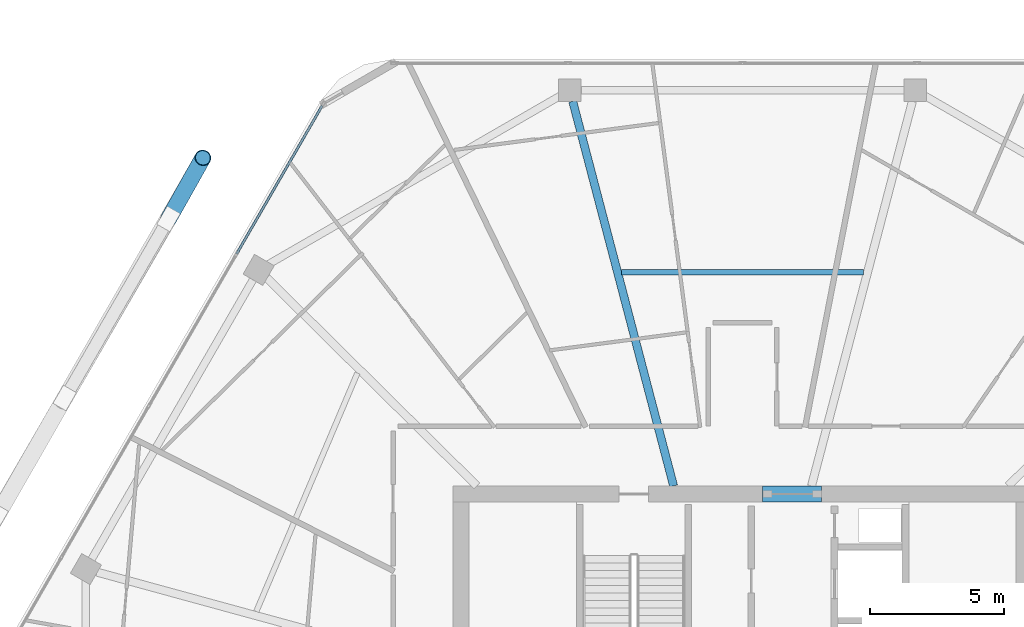
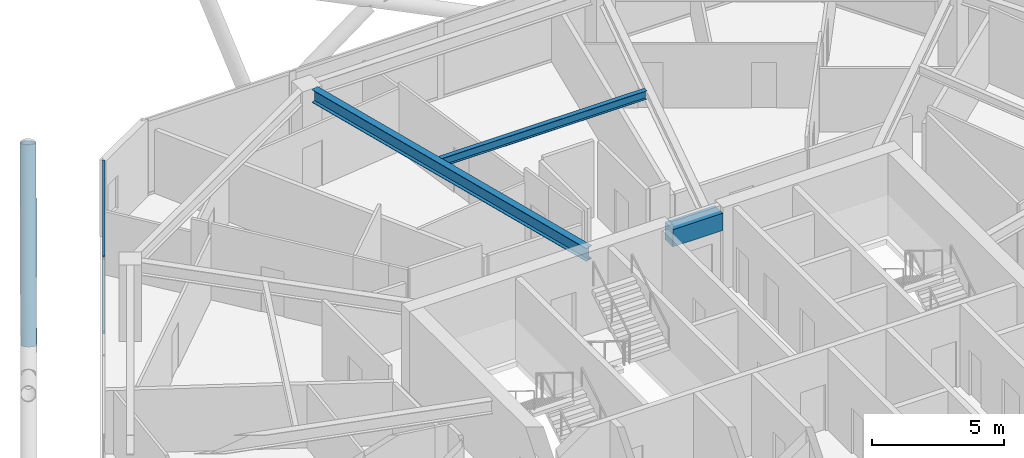
# One storey, part 14 of 28: 3 beams, 3 members, 1 element without a shape of its own.
"""IFC4 building model written with IfcOpenShell, lengths in metres."""

from ifc_helpers import new_model, si_unit, direction, frame, origin, origin_2d, place, context, subcontext, project, spatial, rectangle, hollow_rectangle, hollow_circle, i_section, extrude, material, material_profile, profile_set, type_object, element, aggregate, save


model = new_model("IFC4")

# Units and contexts
model_context = context("Model", 3, precision=1e-05, world=origin(), true_north=direction((0.0, 1.0)))
body_context = subcontext(model_context, "Body", "Model", "MODEL_VIEW")
ifc_project = project(units=[si_unit("LENGTHUNIT", "METRE"), si_unit("AREAUNIT", "SQUARE_METRE"), si_unit("VOLUMEUNIT", "CUBIC_METRE"), si_unit("PLANEANGLEUNIT", "RADIAN"), si_unit("MASSUNIT", "GRAM", prefix="KILO")], contexts=[model_context])

# Site, building, storey
site_placement = place(None, origin())
site = spatial("IfcSite", under=ifc_project, at=site_placement, CompositionType="ELEMENT")
building_placement = place(site_placement, origin())
building = spatial("IfcBuilding", under=site, at=building_placement, Name="Zuhravey Tower", CompositionType="ELEMENT")
storey_placement = place(building_placement, frame((0.0, 0.0, 284.39990234375)))
storey = spatial("IfcBuildingStorey", under=building, at=storey_placement, Name="L72", CompositionType="ELEMENT", Elevation=284.39990234375)

# Beam
ifc_material_1 = material(Name="Concrete C50/60", Category="concrete")
ifc_material_profile_1 = material_profile(ifc_material_1, rectangle(XDim=0.60009765625, YDim=0.800048828125, at=origin_2d()), Name="RC-600x800")
ifc_profile_set_1 = profile_set([ifc_material_profile_1], Name="Concrete C50/60")
beam_type_1 = type_object("IfcBeamType", Name="Core Coupling Beam RC600x800", PredefinedType="LINTEL", material=ifc_profile_set_1)
beam_1_placement = place(storey_placement, frame((36.751953125, 41.5, 3.150146484375), z_axis=(1.0, 0.0, 0.0), x_axis=(0.0, 1.0, 0.0)))
element("IfcBeam", 1, at=beam_1_placement, inside=storey, type_object=beam_type_1, Name="L72 CB2 BM-L72-CB-N", PredefinedType="LINTEL", context=body_context, shape_type="SweptSolid", body=[
    extrude(rectangle(XDim=0.60009765625, YDim=0.800048828125, at=origin_2d()), origin(), (0.0, 0.0, 1.0), 2.196044921875),
])

# Curtain wall, members
ifc_material_2 = material(Name="Thermally broken anodised aluminium", Category="aluminium")
curtain_wall_type = type_object("IfcCurtainWallType", Name="Zone 3-4 High-Rise Curtain Wall CW4", PredefinedType="NOTDEFINED", material=ifc_material_2)
curtain_wall_placement = place(storey_placement, origin())
curtain_wall = element("IfcCurtainWall", 2, at=curtain_wall_placement, inside=storey, type_object=curtain_wall_type, Name="L72 CW4 CW-L72-F3-1", PredefinedType="NOTDEFINED")
ifc_material_3 = material(Name="Anodised aluminium", Category="aluminium")
ifc_material_profile_2 = material_profile(ifc_material_3, hollow_rectangle(XDim=0.090087890625, YDim=0.14990234375, WallThickness=0.0048828125, at=origin_2d()), Name="ALU-RHS-90x150x5")
ifc_profile_set_2 = profile_set([ifc_material_profile_2], Name="Anodised aluminium")
member_type_1 = type_object("IfcMemberType", Name="Curtain-Wall Transom 90x150", PredefinedType="USERDEFINED", material=ifc_profile_set_2)
member_1_placement = place(storey_placement, frame((17.136962890625, 50.455322265625, 0.045166015625), z_axis=(0.499980071345, 0.866036909293, 0.0), x_axis=(-0.866036909293, 0.499980071345, 0.0)))
member_1 = element("IfcMember", 3, at=member_1_placement, type_object=member_type_1, Name="CW4 transom 4.1", ObjectType="TRANSOM", PredefinedType="USERDEFINED", context=body_context, shape_type="SweptSolid", body=[
    extrude(hollow_rectangle(XDim=0.090087890625, YDim=0.14990234375, WallThickness=0.0048828125, at=origin_2d()), origin(), (0.0, 0.0, 1.0), 6.371337890625),
])
member_2_placement = place(storey_placement, frame((17.136962890625, 50.455322265625, 3.505126953125), z_axis=(0.499980071345, 0.866036909293, 0.0), x_axis=(-0.866036909293, 0.499980071345, 0.0)))
member_2 = element("IfcMember", 4, at=member_2_placement, type_object=member_type_1, Name="CW4 transom 4.2", ObjectType="TRANSOM", PredefinedType="USERDEFINED", context=body_context, shape_type="SweptSolid", body=[
    extrude(hollow_rectangle(XDim=0.090087890625, YDim=0.14990234375, WallThickness=0.0048828125, at=origin_2d()), origin(), (0.0, 0.0, 1.0), 6.371337890625),
])
aggregate(curtain_wall, [member_1, member_2])

# Member
ifc_material_4 = material(Name="Steel SM355", Category="steel")
ifc_material_profile_3 = material_profile(ifc_material_4, hollow_circle(Radius=0.3046875, WallThickness=0.028076171875, at=origin_2d()), Name="CHS-609.6x28")
ifc_profile_set_3 = profile_set([ifc_material_profile_3], Name="Steel SM355")
member_type_2 = type_object("IfcMemberType", Name="Exoskeleton Zone 3 Diagrid CHS610x28", PredefinedType="BRACE", material=ifc_profile_set_3)
member_3_placement = place(storey_placement, frame((14.599853515625, 51.761474609375, -0.44580078125), z_axis=(0.159825149173, 0.284225136416, 0.945342262634), x_axis=(-0.871643002203, 0.490141282398, 0.0)))
element("IfcMember", 5, at=member_3_placement, inside=storey, type_object=member_type_2, Name="L72 Face 3 Diagrid Brace 1", PredefinedType="BRACE", context=body_context, shape_type="SweptSolid", body=[
    extrude(hollow_circle(Radius=0.3046875, WallThickness=0.028076171875, at=origin_2d()), origin(), (0.0, 0.0, 1.0), 8.001220703125),
])

# Beams
ifc_material_profile_4 = material_profile(ifc_material_4, i_section(OverallWidth=0.300048828125, OverallDepth=0.60009765625, WebThickness=0.011962890625, FlangeThickness=0.02001953125, at=origin_2d()), Name="H-600x300x12x20")
ifc_profile_set_4 = profile_set([ifc_material_profile_4], Name="Steel SM355")
beam_type_2 = type_object("IfcBeamType", Name="Radial Primary Girder H600x300", PredefinedType="BEAM", material=ifc_profile_set_4)
beam_2_placement = place(storey_placement, frame((33.428466796875, 41.802978515625, 3.25), z_axis=(-0.25373188956, 0.967274587809, 0.0), x_axis=(-0.967274587809, -0.25373188956, 0.0)))
element("IfcBeam", 6, at=beam_2_placement, inside=storey, type_object=beam_type_2, Name="L72 RG3 BM-L72-RAD-04", PredefinedType="BEAM", context=body_context, shape_type="SweptSolid", body=[
    extrude(i_section(OverallWidth=0.300048828125, OverallDepth=0.60009765625, WebThickness=0.011962890625, FlangeThickness=0.02001953125, at=origin_2d()), origin(), (0.0, 0.0, 1.0), 14.82177734375),
])
ifc_material_profile_5 = material_profile(ifc_material_4, i_section(OverallWidth=0.199951171875, OverallDepth=0.39990234375, WebThickness=0.008056640625, FlangeThickness=0.012939453125, at=origin_2d()), Name="H-400x200x8x13")
ifc_profile_set_5 = profile_set([ifc_material_profile_5], Name="Steel SM355")
beam_type_3 = type_object("IfcBeamType", Name="Secondary Floor Joist H400x200", PredefinedType="JOIST", material=ifc_profile_set_5)
beam_3_placement = place(storey_placement, frame((40.507080078125, 49.768310546875, 3.35009765625), z_axis=(-1.0, 0.0, 0.0), x_axis=(0.0, -1.0, 0.0)))
element("IfcBeam", 7, at=beam_3_placement, inside=storey, type_object=beam_type_3, Name="L72 SJ2 BM-L72-SJ-03-1", PredefinedType="JOIST", context=body_context, shape_type="SweptSolid", body=[
    extrude(i_section(OverallWidth=0.199951171875, OverallDepth=0.39990234375, WebThickness=0.008056640625, FlangeThickness=0.012939453125, at=origin_2d()), origin(), (0.0, 0.0, 1.0), 9.01416015625),
])

save(model, "model.ifc")
